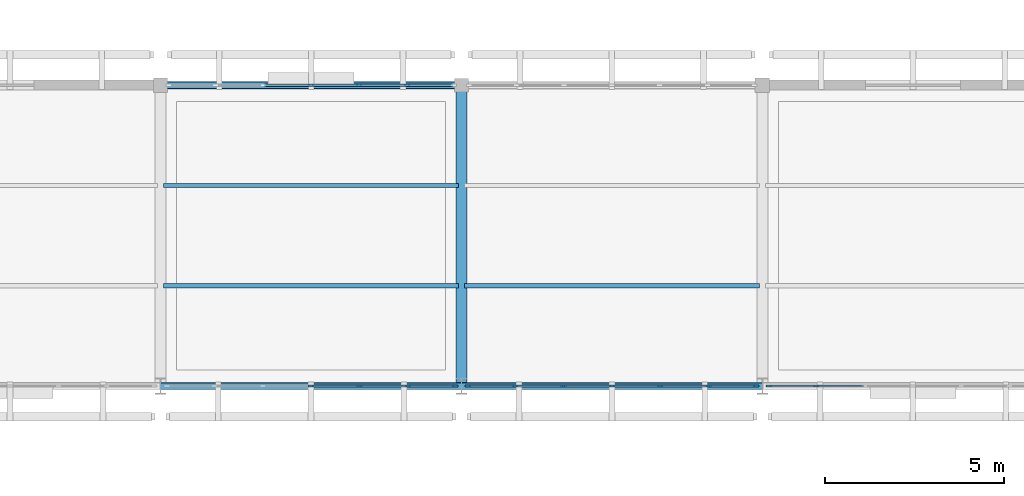
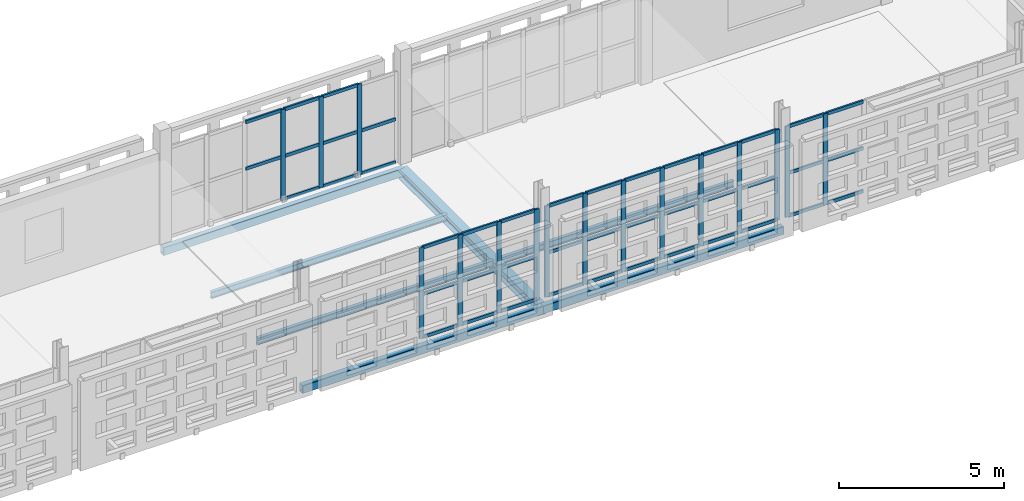
# One storey, part 44 of 166: 59 members, 7 beams, 4 elements without a shape of their own.
"""IFC4 building model written with IfcOpenShell, lengths in metres."""

from ifc_helpers import new_model, si_unit, direction, frame, origin, origin_2d, place, context, subcontext, project, spatial, rectangle, hollow_rectangle, i_section, extrude, material, layer, layer_set, material_profile, profile_set, type_object, element, aggregate, save


model = new_model("IFC4")

# Units and contexts
model_context = context("Model", 3, precision=1e-05, world=origin(), true_north=direction((0.0, 1.0)))
body_context = subcontext(model_context, "Body", "Model", "MODEL_VIEW")
ifc_project = project(units=[si_unit("LENGTHUNIT", "METRE"), si_unit("AREAUNIT", "SQUARE_METRE"), si_unit("VOLUMEUNIT", "CUBIC_METRE"), si_unit("PLANEANGLEUNIT", "RADIAN"), si_unit("MASSUNIT", "GRAM", prefix="KILO")], contexts=[model_context])

# Site, building, storey
site_placement = place(None, origin())
site = spatial("IfcSite", under=ifc_project, at=site_placement, CompositionType="ELEMENT")
building_placement = place(site_placement, origin())
building = spatial("IfcBuilding", under=site, at=building_placement, Name="Varnapada Polytechnic", CompositionType="ELEMENT")
storey_placement = place(building_placement, frame((0.0, 0.0, 9.60009765625)))
storey = spatial("IfcBuildingStorey", under=building, at=storey_placement, Name="L02", CompositionType="ELEMENT", Elevation=9.60009765625)

# Curtain wall, members
ifc_material_1 = material(Name="Double low-E laminated glass", Category="glass")
ifc_layer_1 = layer(ifc_material_1, 0.159912109375)
ifc_layer_set_1 = layer_set([ifc_layer_1], Name="Double low-E laminated glass")
curtain_wall_type_1 = type_object("IfcCurtainWallType", Name="Curtain Wall CW-01", PredefinedType="NOTDEFINED", material=ifc_layer_set_1)
curtain_wall_1_placement = place(storey_placement, origin())
curtain_wall_1 = element("IfcCurtainWall", 1, at=curtain_wall_1_placement, inside=storey, type_object=curtain_wall_type_1, Name="L02 unitised curtain wall CW-01 (166)", PredefinedType="NOTDEFINED")
ifc_material_2 = material(Name="Anodised aluminium", Category="aluminium")
ifc_material_profile_1 = material_profile(ifc_material_2, rectangle(XDim=0.06005859375, YDim=0.159912109375, at=origin_2d()), Name="ALU M60x160")
ifc_profile_set_1 = profile_set([ifc_material_profile_1], Name="Anodised aluminium")
member_type_1 = type_object("IfcMemberType", Name="Mullion M-01", PredefinedType="MULLION", material=ifc_profile_set_1)
member_1_placement = place(storey_placement, frame((83.820068359375, 84.0, 0.0), z_axis=(0.0, 0.0, 1.0), x_axis=(0.0, -1.0, 0.0)))
member_1 = element("IfcMember", 2, at=member_1_placement, type_object=member_type_1, Name="CW-01 mullion 1", PredefinedType="MULLION", context=body_context, shape_type="SweptSolid", body=[
    extrude(rectangle(XDim=0.06005859375, YDim=0.159912109375, at=origin_2d()), origin(), (0.0, 0.0, 1.0), 3.35986328125),
])
member_2_placement = place(storey_placement, frame((82.5, 84.0, 0.0), z_axis=(0.0, 0.0, 1.0), x_axis=(0.0, -1.0, 0.0)))
member_2 = element("IfcMember", 3, at=member_2_placement, type_object=member_type_1, Name="CW-01 mullion 2", PredefinedType="MULLION", context=body_context, shape_type="SweptSolid", body=[
    extrude(rectangle(XDim=0.06005859375, YDim=0.159912109375, at=origin_2d()), origin(), (0.0, 0.0, 1.0), 3.35986328125),
])
member_3_placement = place(storey_placement, frame((81.14990234375, 84.0, 0.0), z_axis=(0.0, 0.0, 1.0), x_axis=(0.0, -1.0, 0.0)))
member_3 = element("IfcMember", 4, at=member_3_placement, type_object=member_type_1, Name="CW-01 mullion 3", PredefinedType="MULLION", context=body_context, shape_type="SweptSolid", body=[
    extrude(rectangle(XDim=0.06005859375, YDim=0.159912109375, at=origin_2d()), origin(), (0.0, 0.0, 1.0), 3.35986328125),
])
member_4_placement = place(storey_placement, frame((79.800048828125, 84.0, 0.0), z_axis=(0.0, 0.0, 1.0), x_axis=(0.0, -1.0, 0.0)))
member_4 = element("IfcMember", 5, at=member_4_placement, type_object=member_type_1, Name="CW-01 mullion 4", PredefinedType="MULLION", context=body_context, shape_type="SweptSolid", body=[
    extrude(rectangle(XDim=0.06005859375, YDim=0.159912109375, at=origin_2d()), origin(), (0.0, 0.0, 1.0), 3.35986328125),
])

ifc_layer_2 = layer(ifc_material_1, 0.159912109375)
ifc_layer_set_2 = layer_set([ifc_layer_2], Name="Double low-E laminated glass")
curtain_wall_type_2 = type_object("IfcCurtainWallType", Name="Curtain Wall CW-02", PredefinedType="NOTDEFINED", material=ifc_layer_set_2)
curtain_wall_2_placement = place(storey_placement, origin())
curtain_wall_2 = element("IfcCurtainWall", 6, at=curtain_wall_2_placement, inside=storey, type_object=curtain_wall_type_2, Name="L02 unitised curtain wall CW-02 (167)", PredefinedType="NOTDEFINED")
member_5_placement = place(storey_placement, frame((79.804931640625, 92.39990234375, 0.0), z_axis=(0.0, 0.0, 1.0), x_axis=(0.0, 1.0, 0.0)))
member_5 = element("IfcMember", 7, at=member_5_placement, type_object=member_type_1, Name="CW-02 mullion 4", PredefinedType="MULLION", context=body_context, shape_type="SweptSolid", body=[
    extrude(rectangle(XDim=0.06005859375, YDim=0.159912109375, at=origin_2d()), origin(), (0.0, 0.0, 1.0), 3.35986328125),
])
member_6_placement = place(storey_placement, frame((81.139892578125, 92.39990234375, 0.0), z_axis=(0.0, 0.0, 1.0), x_axis=(0.0, 1.0, 0.0)))
member_6 = element("IfcMember", 8, at=member_6_placement, type_object=member_type_1, Name="CW-02 mullion 5", PredefinedType="MULLION", context=body_context, shape_type="SweptSolid", body=[
    extrude(rectangle(XDim=0.06005859375, YDim=0.159912109375, at=origin_2d()), origin(), (0.0, 0.0, 1.0), 3.35986328125),
])
member_7_placement = place(storey_placement, frame((82.47509765625, 92.39990234375, 0.0), z_axis=(0.0, 0.0, 1.0), x_axis=(0.0, 1.0, 0.0)))
member_7 = element("IfcMember", 9, at=member_7_placement, type_object=member_type_1, Name="CW-02 mullion 6", PredefinedType="MULLION", context=body_context, shape_type="SweptSolid", body=[
    extrude(rectangle(XDim=0.06005859375, YDim=0.159912109375, at=origin_2d()), origin(), (0.0, 0.0, 1.0), 3.35986328125),
])

curtain_wall_3_placement = place(storey_placement, origin())
curtain_wall_3 = element("IfcCurtainWall", 10, at=curtain_wall_3_placement, inside=storey, type_object=curtain_wall_type_1, Name="L02 unitised curtain wall CW-01 (168)", PredefinedType="NOTDEFINED")
member_8_placement = place(storey_placement, frame((92.219970703125, 84.0, 0.0), z_axis=(0.0, 0.0, 1.0), x_axis=(0.0, -1.0, 0.0)))
member_8 = element("IfcMember", 11, at=member_8_placement, type_object=member_type_1, Name="CW-01 mullion 1", PredefinedType="MULLION", context=body_context, shape_type="SweptSolid", body=[
    extrude(rectangle(XDim=0.06005859375, YDim=0.159912109375, at=origin_2d()), origin(), (0.0, 0.0, 1.0), 3.35986328125),
])
member_9_placement = place(storey_placement, frame((90.89990234375, 84.0, 0.0), z_axis=(0.0, 0.0, 1.0), x_axis=(0.0, -1.0, 0.0)))
member_9 = element("IfcMember", 12, at=member_9_placement, type_object=member_type_1, Name="CW-01 mullion 2", PredefinedType="MULLION", context=body_context, shape_type="SweptSolid", body=[
    extrude(rectangle(XDim=0.06005859375, YDim=0.159912109375, at=origin_2d()), origin(), (0.0, 0.0, 1.0), 3.35986328125),
])
member_10_placement = place(storey_placement, frame((89.550048828125, 84.0, 0.0), z_axis=(0.0, 0.0, 1.0), x_axis=(0.0, -1.0, 0.0)))
member_10 = element("IfcMember", 13, at=member_10_placement, type_object=member_type_1, Name="CW-01 mullion 3", PredefinedType="MULLION", context=body_context, shape_type="SweptSolid", body=[
    extrude(rectangle(XDim=0.06005859375, YDim=0.159912109375, at=origin_2d()), origin(), (0.0, 0.0, 1.0), 3.35986328125),
])
member_11_placement = place(storey_placement, frame((88.199951171875, 84.0, 0.0), z_axis=(0.0, 0.0, 1.0), x_axis=(0.0, -1.0, 0.0)))
member_11 = element("IfcMember", 14, at=member_11_placement, type_object=member_type_1, Name="CW-01 mullion 4", PredefinedType="MULLION", context=body_context, shape_type="SweptSolid", body=[
    extrude(rectangle(XDim=0.06005859375, YDim=0.159912109375, at=origin_2d()), origin(), (0.0, 0.0, 1.0), 3.35986328125),
])
member_12_placement = place(storey_placement, frame((86.85009765625, 84.0, 0.0), z_axis=(0.0, 0.0, 1.0), x_axis=(0.0, -1.0, 0.0)))
member_12 = element("IfcMember", 15, at=member_12_placement, type_object=member_type_1, Name="CW-01 mullion 5", PredefinedType="MULLION", context=body_context, shape_type="SweptSolid", body=[
    extrude(rectangle(XDim=0.06005859375, YDim=0.159912109375, at=origin_2d()), origin(), (0.0, 0.0, 1.0), 3.35986328125),
])
member_13_placement = place(storey_placement, frame((85.5, 84.0, 0.0), z_axis=(0.0, 0.0, 1.0), x_axis=(0.0, -1.0, 0.0)))
member_13 = element("IfcMember", 16, at=member_13_placement, type_object=member_type_1, Name="CW-01 mullion 6", PredefinedType="MULLION", context=body_context, shape_type="SweptSolid", body=[
    extrude(rectangle(XDim=0.06005859375, YDim=0.159912109375, at=origin_2d()), origin(), (0.0, 0.0, 1.0), 3.35986328125),
])
member_14_placement = place(storey_placement, frame((84.179931640625, 84.0, 0.0), z_axis=(0.0, 0.0, 1.0), x_axis=(0.0, -1.0, 0.0)))
member_14 = element("IfcMember", 17, at=member_14_placement, type_object=member_type_1, Name="CW-01 mullion 7", PredefinedType="MULLION", context=body_context, shape_type="SweptSolid", body=[
    extrude(rectangle(XDim=0.06005859375, YDim=0.159912109375, at=origin_2d()), origin(), (0.0, 0.0, 1.0), 3.35986328125),
])

curtain_wall_4_placement = place(storey_placement, origin())
curtain_wall_4 = element("IfcCurtainWall", 18, at=curtain_wall_4_placement, inside=storey, type_object=curtain_wall_type_1, Name="L02 unitised curtain wall CW-01 (170)", PredefinedType="NOTDEFINED")
member_15_placement = place(storey_placement, frame((93.89990234375, 84.0, 0.0), z_axis=(0.0, 0.0, 1.0), x_axis=(0.0, -1.0, 0.0)))
member_15 = element("IfcMember", 19, at=member_15_placement, type_object=member_type_1, Name="CW-01 mullion 6", PredefinedType="MULLION", context=body_context, shape_type="SweptSolid", body=[
    extrude(rectangle(XDim=0.06005859375, YDim=0.159912109375, at=origin_2d()), origin(), (0.0, 0.0, 1.0), 3.35986328125),
])
member_16_placement = place(storey_placement, frame((92.580078125, 84.0, 0.0), z_axis=(0.0, 0.0, 1.0), x_axis=(0.0, -1.0, 0.0)))
member_16 = element("IfcMember", 20, at=member_16_placement, type_object=member_type_1, Name="CW-01 mullion 7", PredefinedType="MULLION", context=body_context, shape_type="SweptSolid", body=[
    extrude(rectangle(XDim=0.06005859375, YDim=0.159912109375, at=origin_2d()), origin(), (0.0, 0.0, 1.0), 3.35986328125),
])

# Beam
ifc_material_3 = material(Name="Steel S355", Category="steel")
ifc_material_profile_2 = material_profile(ifc_material_3, i_section(OverallWidth=0.300048828125, OverallDepth=0.389892578125, WebThickness=0.010986328125, FlangeThickness=0.01904296875, FilletRadius=0.027099609375, at=origin_2d()), Name="HEA 400")
ifc_profile_set_2 = profile_set([ifc_material_profile_2], Name="Steel S355")
beam_type_1 = type_object("IfcBeamType", Name="Steel roof primary girder SG-01 (HEA 400)", PredefinedType="BEAM", material=ifc_profile_set_2)
beam_placement = place(storey_placement, frame((84.0, 84.0, -0.43505859375), z_axis=(0.0, 1.0, 0.0), x_axis=(-1.0, 0.0, 0.0)))
element("IfcBeam", 21, at=beam_placement, inside=storey, type_object=beam_type_1, Name="L02 beam Y 11-12 at X11", PredefinedType="BEAM", context=body_context, shape_type="SweptSolid", body=[
    extrude(i_section(OverallWidth=0.300048828125, OverallDepth=0.389892578125, WebThickness=0.010986328125, FlangeThickness=0.01904296875, FilletRadius=0.027099609375, at=origin_2d()), origin(), (0.0, 0.0, 1.0), 8.39990234375),
])

# Member
ifc_material_profile_3 = material_profile(ifc_material_2, rectangle(XDim=0.06005859375, YDim=0.1201171875, at=origin_2d()), Name="ALU T60x120")
ifc_profile_set_3 = profile_set([ifc_material_profile_3], Name="Anodised aluminium")
member_type_2 = type_object("IfcMemberType", Name="Transom T-01", PredefinedType="USERDEFINED", material=ifc_profile_set_3)
member_17_placement = place(storey_placement, frame((83.7900390625, 84.0, 0.02978515625), z_axis=(-1.0, 0.0, 0.0), x_axis=(0.0, -1.0, 0.0)))
member_17 = element("IfcMember", 22, at=member_17_placement, type_object=member_type_2, Name="CW-01 transom 1.1", ObjectType="TRANSOM", PredefinedType="USERDEFINED", context=body_context, shape_type="SweptSolid", body=[
    extrude(rectangle(XDim=0.06005859375, YDim=0.1201171875, at=origin_2d()), origin(), (0.0, 0.0, 1.0), 1.260009765625),
])

member_18_placement = place(storey_placement, frame((83.7900390625, 84.0, 1.61279296875), z_axis=(-1.0, 0.0, 0.0), x_axis=(0.0, -1.0, 0.0)))
member_18 = element("IfcMember", 23, at=member_18_placement, type_object=member_type_2, Name="CW-01 transom 1.2", ObjectType="TRANSOM", PredefinedType="USERDEFINED", context=body_context, shape_type="SweptSolid", body=[
    extrude(rectangle(XDim=0.06005859375, YDim=0.1201171875, at=origin_2d()), origin(), (0.0, 0.0, 1.0), 1.260009765625),
])

member_19_placement = place(storey_placement, frame((83.7900390625, 84.0, 3.329833984375), z_axis=(-1.0, 0.0, 0.0), x_axis=(0.0, -1.0, 0.0)))
member_19 = element("IfcMember", 24, at=member_19_placement, type_object=member_type_2, Name="CW-01 transom 1.3", ObjectType="TRANSOM", PredefinedType="USERDEFINED", context=body_context, shape_type="SweptSolid", body=[
    extrude(rectangle(XDim=0.06005859375, YDim=0.1201171875, at=origin_2d()), origin(), (0.0, 0.0, 1.0), 1.260009765625),
])

member_20_placement = place(storey_placement, frame((82.469970703125, 84.0, 0.02978515625), z_axis=(-1.0, 0.0, 0.0), x_axis=(0.0, -1.0, 0.0)))
member_20 = element("IfcMember", 25, at=member_20_placement, type_object=member_type_2, Name="CW-01 transom 2.1", ObjectType="TRANSOM", PredefinedType="USERDEFINED", context=body_context, shape_type="SweptSolid", body=[
    extrude(rectangle(XDim=0.06005859375, YDim=0.1201171875, at=origin_2d()), origin(), (0.0, 0.0, 1.0), 1.2900390625),
])

member_21_placement = place(storey_placement, frame((82.469970703125, 84.0, 1.61279296875), z_axis=(-1.0, 0.0, 0.0), x_axis=(0.0, -1.0, 0.0)))
member_21 = element("IfcMember", 26, at=member_21_placement, type_object=member_type_2, Name="CW-01 transom 2.2", ObjectType="TRANSOM", PredefinedType="USERDEFINED", context=body_context, shape_type="SweptSolid", body=[
    extrude(rectangle(XDim=0.06005859375, YDim=0.1201171875, at=origin_2d()), origin(), (0.0, 0.0, 1.0), 1.2900390625),
])

member_22_placement = place(storey_placement, frame((82.469970703125, 84.0, 3.329833984375), z_axis=(-1.0, 0.0, 0.0), x_axis=(0.0, -1.0, 0.0)))
member_22 = element("IfcMember", 27, at=member_22_placement, type_object=member_type_2, Name="CW-01 transom 2.3", ObjectType="TRANSOM", PredefinedType="USERDEFINED", context=body_context, shape_type="SweptSolid", body=[
    extrude(rectangle(XDim=0.06005859375, YDim=0.1201171875, at=origin_2d()), origin(), (0.0, 0.0, 1.0), 1.2900390625),
])

member_23_placement = place(storey_placement, frame((81.1201171875, 84.0, 0.02978515625), z_axis=(-1.0, 0.0, 0.0), x_axis=(0.0, -1.0, 0.0)))
member_23 = element("IfcMember", 28, at=member_23_placement, type_object=member_type_2, Name="CW-01 transom 3.1", ObjectType="TRANSOM", PredefinedType="USERDEFINED", context=body_context, shape_type="SweptSolid", body=[
    extrude(rectangle(XDim=0.06005859375, YDim=0.1201171875, at=origin_2d()), origin(), (0.0, 0.0, 1.0), 1.2900390625),
])

member_24_placement = place(storey_placement, frame((81.1201171875, 84.0, 1.61279296875), z_axis=(-1.0, 0.0, 0.0), x_axis=(0.0, -1.0, 0.0)))
member_24 = element("IfcMember", 29, at=member_24_placement, type_object=member_type_2, Name="CW-01 transom 3.2", ObjectType="TRANSOM", PredefinedType="USERDEFINED", context=body_context, shape_type="SweptSolid", body=[
    extrude(rectangle(XDim=0.06005859375, YDim=0.1201171875, at=origin_2d()), origin(), (0.0, 0.0, 1.0), 1.2900390625),
])

member_25_placement = place(storey_placement, frame((81.1201171875, 84.0, 3.329833984375), z_axis=(-1.0, 0.0, 0.0), x_axis=(0.0, -1.0, 0.0)))
member_25 = element("IfcMember", 30, at=member_25_placement, type_object=member_type_2, Name="CW-01 transom 3.3", ObjectType="TRANSOM", PredefinedType="USERDEFINED", context=body_context, shape_type="SweptSolid", body=[
    extrude(rectangle(XDim=0.06005859375, YDim=0.1201171875, at=origin_2d()), origin(), (0.0, 0.0, 1.0), 1.2900390625),
])

aggregate(curtain_wall_1, [member_1, member_2, member_3, member_4, member_17, member_18, member_19, member_20, member_21, member_22, member_23, member_24, member_25])

member_26_placement = place(storey_placement, frame((78.5, 92.39990234375, 1.61279296875), z_axis=(1.0, 0.0, 0.0), x_axis=(0.0, 1.0, 0.0)))
member_26 = element("IfcMember", 31, at=member_26_placement, type_object=member_type_2, Name="CW-02 transom 3.2", ObjectType="TRANSOM", PredefinedType="USERDEFINED", context=body_context, shape_type="SweptSolid", body=[
    extrude(rectangle(XDim=0.06005859375, YDim=0.1201171875, at=origin_2d()), origin(), (0.0, 0.0, 1.0), 1.27490234375),
])

member_27_placement = place(storey_placement, frame((78.5, 92.39990234375, 3.329833984375), z_axis=(1.0, 0.0, 0.0), x_axis=(0.0, 1.0, 0.0)))
member_27 = element("IfcMember", 32, at=member_27_placement, type_object=member_type_2, Name="CW-02 transom 3.3", ObjectType="TRANSOM", PredefinedType="USERDEFINED", context=body_context, shape_type="SweptSolid", body=[
    extrude(rectangle(XDim=0.06005859375, YDim=0.1201171875, at=origin_2d()), origin(), (0.0, 0.0, 1.0), 1.27490234375),
])

member_28_placement = place(storey_placement, frame((79.8349609375, 92.39990234375, 0.02978515625), z_axis=(1.0, 0.0, 0.0), x_axis=(0.0, 1.0, 0.0)))
member_28 = element("IfcMember", 33, at=member_28_placement, type_object=member_type_2, Name="CW-02 transom 4.1", ObjectType="TRANSOM", PredefinedType="USERDEFINED", context=body_context, shape_type="SweptSolid", body=[
    extrude(rectangle(XDim=0.06005859375, YDim=0.1201171875, at=origin_2d()), origin(), (0.0, 0.0, 1.0), 1.275146484375),
])

member_29_placement = place(storey_placement, frame((79.8349609375, 92.39990234375, 1.61279296875), z_axis=(1.0, 0.0, 0.0), x_axis=(0.0, 1.0, 0.0)))
member_29 = element("IfcMember", 34, at=member_29_placement, type_object=member_type_2, Name="CW-02 transom 4.2", ObjectType="TRANSOM", PredefinedType="USERDEFINED", context=body_context, shape_type="SweptSolid", body=[
    extrude(rectangle(XDim=0.06005859375, YDim=0.1201171875, at=origin_2d()), origin(), (0.0, 0.0, 1.0), 1.275146484375),
])

member_30_placement = place(storey_placement, frame((79.8349609375, 92.39990234375, 3.329833984375), z_axis=(1.0, 0.0, 0.0), x_axis=(0.0, 1.0, 0.0)))
member_30 = element("IfcMember", 35, at=member_30_placement, type_object=member_type_2, Name="CW-02 transom 4.3", ObjectType="TRANSOM", PredefinedType="USERDEFINED", context=body_context, shape_type="SweptSolid", body=[
    extrude(rectangle(XDim=0.06005859375, YDim=0.1201171875, at=origin_2d()), origin(), (0.0, 0.0, 1.0), 1.275146484375),
])

member_31_placement = place(storey_placement, frame((81.169921875, 92.39990234375, 0.02978515625), z_axis=(1.0, 0.0, 0.0), x_axis=(0.0, 1.0, 0.0)))
member_31 = element("IfcMember", 36, at=member_31_placement, type_object=member_type_2, Name="CW-02 transom 5.1", ObjectType="TRANSOM", PredefinedType="USERDEFINED", context=body_context, shape_type="SweptSolid", body=[
    extrude(rectangle(XDim=0.06005859375, YDim=0.1201171875, at=origin_2d()), origin(), (0.0, 0.0, 1.0), 1.275146484375),
])

member_32_placement = place(storey_placement, frame((81.169921875, 92.39990234375, 1.61279296875), z_axis=(1.0, 0.0, 0.0), x_axis=(0.0, 1.0, 0.0)))
member_32 = element("IfcMember", 37, at=member_32_placement, type_object=member_type_2, Name="CW-02 transom 5.2", ObjectType="TRANSOM", PredefinedType="USERDEFINED", context=body_context, shape_type="SweptSolid", body=[
    extrude(rectangle(XDim=0.06005859375, YDim=0.1201171875, at=origin_2d()), origin(), (0.0, 0.0, 1.0), 1.275146484375),
])

member_33_placement = place(storey_placement, frame((81.169921875, 92.39990234375, 3.329833984375), z_axis=(1.0, 0.0, 0.0), x_axis=(0.0, 1.0, 0.0)))
member_33 = element("IfcMember", 38, at=member_33_placement, type_object=member_type_2, Name="CW-02 transom 5.3", ObjectType="TRANSOM", PredefinedType="USERDEFINED", context=body_context, shape_type="SweptSolid", body=[
    extrude(rectangle(XDim=0.06005859375, YDim=0.1201171875, at=origin_2d()), origin(), (0.0, 0.0, 1.0), 1.275146484375),
])

member_34_placement = place(storey_placement, frame((82.5048828125, 92.39990234375, 0.02978515625), z_axis=(1.0, 0.0, 0.0), x_axis=(0.0, 1.0, 0.0)))
member_34 = element("IfcMember", 39, at=member_34_placement, type_object=member_type_2, Name="CW-02 transom 6.1", ObjectType="TRANSOM", PredefinedType="USERDEFINED", context=body_context, shape_type="SweptSolid", body=[
    extrude(rectangle(XDim=0.06005859375, YDim=0.1201171875, at=origin_2d()), origin(), (0.0, 0.0, 1.0), 1.2451171875),
])

member_35_placement = place(storey_placement, frame((82.5048828125, 92.39990234375, 1.61279296875), z_axis=(1.0, 0.0, 0.0), x_axis=(0.0, 1.0, 0.0)))
member_35 = element("IfcMember", 40, at=member_35_placement, type_object=member_type_2, Name="CW-02 transom 6.2", ObjectType="TRANSOM", PredefinedType="USERDEFINED", context=body_context, shape_type="SweptSolid", body=[
    extrude(rectangle(XDim=0.06005859375, YDim=0.1201171875, at=origin_2d()), origin(), (0.0, 0.0, 1.0), 1.2451171875),
])

aggregate(curtain_wall_2, [member_5, member_6, member_7, member_26, member_27, member_28, member_29, member_30, member_31, member_32, member_33, member_34, member_35])

member_36_placement = place(storey_placement, frame((92.18994140625, 84.0, 0.02978515625), z_axis=(-1.0, 0.0, 0.0), x_axis=(0.0, -1.0, 0.0)))
member_36 = element("IfcMember", 41, at=member_36_placement, type_object=member_type_2, Name="CW-01 transom 1.1", ObjectType="TRANSOM", PredefinedType="USERDEFINED", context=body_context, shape_type="SweptSolid", body=[
    extrude(rectangle(XDim=0.06005859375, YDim=0.1201171875, at=origin_2d()), origin(), (0.0, 0.0, 1.0), 1.260009765625),
])

member_37_placement = place(storey_placement, frame((92.18994140625, 84.0, 1.61279296875), z_axis=(-1.0, 0.0, 0.0), x_axis=(0.0, -1.0, 0.0)))
member_37 = element("IfcMember", 42, at=member_37_placement, type_object=member_type_2, Name="CW-01 transom 1.2", ObjectType="TRANSOM", PredefinedType="USERDEFINED", context=body_context, shape_type="SweptSolid", body=[
    extrude(rectangle(XDim=0.06005859375, YDim=0.1201171875, at=origin_2d()), origin(), (0.0, 0.0, 1.0), 1.260009765625),
])

member_38_placement = place(storey_placement, frame((92.18994140625, 84.0, 3.329833984375), z_axis=(-1.0, 0.0, 0.0), x_axis=(0.0, -1.0, 0.0)))
member_38 = element("IfcMember", 43, at=member_38_placement, type_object=member_type_2, Name="CW-01 transom 1.3", ObjectType="TRANSOM", PredefinedType="USERDEFINED", context=body_context, shape_type="SweptSolid", body=[
    extrude(rectangle(XDim=0.06005859375, YDim=0.1201171875, at=origin_2d()), origin(), (0.0, 0.0, 1.0), 1.260009765625),
])

member_39_placement = place(storey_placement, frame((90.8701171875, 84.0, 0.02978515625), z_axis=(-1.0, 0.0, 0.0), x_axis=(0.0, -1.0, 0.0)))
member_39 = element("IfcMember", 44, at=member_39_placement, type_object=member_type_2, Name="CW-01 transom 2.1", ObjectType="TRANSOM", PredefinedType="USERDEFINED", context=body_context, shape_type="SweptSolid", body=[
    extrude(rectangle(XDim=0.06005859375, YDim=0.1201171875, at=origin_2d()), origin(), (0.0, 0.0, 1.0), 1.2900390625),
])

member_40_placement = place(storey_placement, frame((90.8701171875, 84.0, 1.61279296875), z_axis=(-1.0, 0.0, 0.0), x_axis=(0.0, -1.0, 0.0)))
member_40 = element("IfcMember", 45, at=member_40_placement, type_object=member_type_2, Name="CW-01 transom 2.2", ObjectType="TRANSOM", PredefinedType="USERDEFINED", context=body_context, shape_type="SweptSolid", body=[
    extrude(rectangle(XDim=0.06005859375, YDim=0.1201171875, at=origin_2d()), origin(), (0.0, 0.0, 1.0), 1.2900390625),
])

member_41_placement = place(storey_placement, frame((90.8701171875, 84.0, 3.329833984375), z_axis=(-1.0, 0.0, 0.0), x_axis=(0.0, -1.0, 0.0)))
member_41 = element("IfcMember", 46, at=member_41_placement, type_object=member_type_2, Name="CW-01 transom 2.3", ObjectType="TRANSOM", PredefinedType="USERDEFINED", context=body_context, shape_type="SweptSolid", body=[
    extrude(rectangle(XDim=0.06005859375, YDim=0.1201171875, at=origin_2d()), origin(), (0.0, 0.0, 1.0), 1.2900390625),
])

member_42_placement = place(storey_placement, frame((89.52001953125, 84.0, 0.02978515625), z_axis=(-1.0, 0.0, 0.0), x_axis=(0.0, -1.0, 0.0)))
member_42 = element("IfcMember", 47, at=member_42_placement, type_object=member_type_2, Name="CW-01 transom 3.1", ObjectType="TRANSOM", PredefinedType="USERDEFINED", context=body_context, shape_type="SweptSolid", body=[
    extrude(rectangle(XDim=0.06005859375, YDim=0.1201171875, at=origin_2d()), origin(), (0.0, 0.0, 1.0), 1.2900390625),
])

member_43_placement = place(storey_placement, frame((89.52001953125, 84.0, 1.61279296875), z_axis=(-1.0, 0.0, 0.0), x_axis=(0.0, -1.0, 0.0)))
member_43 = element("IfcMember", 48, at=member_43_placement, type_object=member_type_2, Name="CW-01 transom 3.2", ObjectType="TRANSOM", PredefinedType="USERDEFINED", context=body_context, shape_type="SweptSolid", body=[
    extrude(rectangle(XDim=0.06005859375, YDim=0.1201171875, at=origin_2d()), origin(), (0.0, 0.0, 1.0), 1.2900390625),
])

member_44_placement = place(storey_placement, frame((89.52001953125, 84.0, 3.329833984375), z_axis=(-1.0, 0.0, 0.0), x_axis=(0.0, -1.0, 0.0)))
member_44 = element("IfcMember", 49, at=member_44_placement, type_object=member_type_2, Name="CW-01 transom 3.3", ObjectType="TRANSOM", PredefinedType="USERDEFINED", context=body_context, shape_type="SweptSolid", body=[
    extrude(rectangle(XDim=0.06005859375, YDim=0.1201171875, at=origin_2d()), origin(), (0.0, 0.0, 1.0), 1.2900390625),
])

member_45_placement = place(storey_placement, frame((88.169921875, 84.0, 0.02978515625), z_axis=(-1.0, 0.0, 0.0), x_axis=(0.0, -1.0, 0.0)))
member_45 = element("IfcMember", 50, at=member_45_placement, type_object=member_type_2, Name="CW-01 transom 4.1", ObjectType="TRANSOM", PredefinedType="USERDEFINED", context=body_context, shape_type="SweptSolid", body=[
    extrude(rectangle(XDim=0.06005859375, YDim=0.1201171875, at=origin_2d()), origin(), (0.0, 0.0, 1.0), 1.2900390625),
])

member_46_placement = place(storey_placement, frame((88.169921875, 84.0, 1.61279296875), z_axis=(-1.0, 0.0, 0.0), x_axis=(0.0, -1.0, 0.0)))
member_46 = element("IfcMember", 51, at=member_46_placement, type_object=member_type_2, Name="CW-01 transom 4.2", ObjectType="TRANSOM", PredefinedType="USERDEFINED", context=body_context, shape_type="SweptSolid", body=[
    extrude(rectangle(XDim=0.06005859375, YDim=0.1201171875, at=origin_2d()), origin(), (0.0, 0.0, 1.0), 1.2900390625),
])

member_47_placement = place(storey_placement, frame((88.169921875, 84.0, 3.329833984375), z_axis=(-1.0, 0.0, 0.0), x_axis=(0.0, -1.0, 0.0)))
member_47 = element("IfcMember", 52, at=member_47_placement, type_object=member_type_2, Name="CW-01 transom 4.3", ObjectType="TRANSOM", PredefinedType="USERDEFINED", context=body_context, shape_type="SweptSolid", body=[
    extrude(rectangle(XDim=0.06005859375, YDim=0.1201171875, at=origin_2d()), origin(), (0.0, 0.0, 1.0), 1.2900390625),
])

member_48_placement = place(storey_placement, frame((86.820068359375, 84.0, 0.02978515625), z_axis=(-1.0, 0.0, 0.0), x_axis=(0.0, -1.0, 0.0)))
member_48 = element("IfcMember", 53, at=member_48_placement, type_object=member_type_2, Name="CW-01 transom 5.1", ObjectType="TRANSOM", PredefinedType="USERDEFINED", context=body_context, shape_type="SweptSolid", body=[
    extrude(rectangle(XDim=0.06005859375, YDim=0.1201171875, at=origin_2d()), origin(), (0.0, 0.0, 1.0), 1.2900390625),
])

member_49_placement = place(storey_placement, frame((86.820068359375, 84.0, 1.61279296875), z_axis=(-1.0, 0.0, 0.0), x_axis=(0.0, -1.0, 0.0)))
member_49 = element("IfcMember", 54, at=member_49_placement, type_object=member_type_2, Name="CW-01 transom 5.2", ObjectType="TRANSOM", PredefinedType="USERDEFINED", context=body_context, shape_type="SweptSolid", body=[
    extrude(rectangle(XDim=0.06005859375, YDim=0.1201171875, at=origin_2d()), origin(), (0.0, 0.0, 1.0), 1.2900390625),
])

member_50_placement = place(storey_placement, frame((86.820068359375, 84.0, 3.329833984375), z_axis=(-1.0, 0.0, 0.0), x_axis=(0.0, -1.0, 0.0)))
member_50 = element("IfcMember", 55, at=member_50_placement, type_object=member_type_2, Name="CW-01 transom 5.3", ObjectType="TRANSOM", PredefinedType="USERDEFINED", context=body_context, shape_type="SweptSolid", body=[
    extrude(rectangle(XDim=0.06005859375, YDim=0.1201171875, at=origin_2d()), origin(), (0.0, 0.0, 1.0), 1.2900390625),
])

member_51_placement = place(storey_placement, frame((85.469970703125, 84.0, 0.02978515625), z_axis=(-1.0, 0.0, 0.0), x_axis=(0.0, -1.0, 0.0)))
member_51 = element("IfcMember", 56, at=member_51_placement, type_object=member_type_2, Name="CW-01 transom 6.1", ObjectType="TRANSOM", PredefinedType="USERDEFINED", context=body_context, shape_type="SweptSolid", body=[
    extrude(rectangle(XDim=0.06005859375, YDim=0.1201171875, at=origin_2d()), origin(), (0.0, 0.0, 1.0), 1.260009765625),
])

member_52_placement = place(storey_placement, frame((85.469970703125, 84.0, 1.61279296875), z_axis=(-1.0, 0.0, 0.0), x_axis=(0.0, -1.0, 0.0)))
member_52 = element("IfcMember", 57, at=member_52_placement, type_object=member_type_2, Name="CW-01 transom 6.2", ObjectType="TRANSOM", PredefinedType="USERDEFINED", context=body_context, shape_type="SweptSolid", body=[
    extrude(rectangle(XDim=0.06005859375, YDim=0.1201171875, at=origin_2d()), origin(), (0.0, 0.0, 1.0), 1.260009765625),
])

member_53_placement = place(storey_placement, frame((85.469970703125, 84.0, 3.329833984375), z_axis=(-1.0, 0.0, 0.0), x_axis=(0.0, -1.0, 0.0)))
member_53 = element("IfcMember", 58, at=member_53_placement, type_object=member_type_2, Name="CW-01 transom 6.3", ObjectType="TRANSOM", PredefinedType="USERDEFINED", context=body_context, shape_type="SweptSolid", body=[
    extrude(rectangle(XDim=0.06005859375, YDim=0.1201171875, at=origin_2d()), origin(), (0.0, 0.0, 1.0), 1.260009765625),
])

aggregate(curtain_wall_3, [member_8, member_9, member_10, member_11, member_12, member_13, member_14, member_36, member_37, member_38, member_39, member_40, member_41, member_42, member_43, member_44, member_45, member_46, member_47, member_48, member_49, member_50, member_51, member_52, member_53])

member_54_placement = place(storey_placement, frame((95.219970703125, 84.0, 0.02978515625), z_axis=(-1.0, 0.0, 0.0), x_axis=(0.0, -1.0, 0.0)))
member_54 = element("IfcMember", 59, at=member_54_placement, type_object=member_type_2, Name="CW-01 transom 5.1", ObjectType="TRANSOM", PredefinedType="USERDEFINED", context=body_context, shape_type="SweptSolid", body=[
    extrude(rectangle(XDim=0.06005859375, YDim=0.1201171875, at=origin_2d()), origin(), (0.0, 0.0, 1.0), 1.2900390625),
])

member_55_placement = place(storey_placement, frame((95.219970703125, 84.0, 1.61279296875), z_axis=(-1.0, 0.0, 0.0), x_axis=(0.0, -1.0, 0.0)))
member_55 = element("IfcMember", 60, at=member_55_placement, type_object=member_type_2, Name="CW-01 transom 5.2", ObjectType="TRANSOM", PredefinedType="USERDEFINED", context=body_context, shape_type="SweptSolid", body=[
    extrude(rectangle(XDim=0.06005859375, YDim=0.1201171875, at=origin_2d()), origin(), (0.0, 0.0, 1.0), 1.2900390625),
])

member_56_placement = place(storey_placement, frame((95.219970703125, 84.0, 3.329833984375), z_axis=(-1.0, 0.0, 0.0), x_axis=(0.0, -1.0, 0.0)))
member_56 = element("IfcMember", 61, at=member_56_placement, type_object=member_type_2, Name="CW-01 transom 5.3", ObjectType="TRANSOM", PredefinedType="USERDEFINED", context=body_context, shape_type="SweptSolid", body=[
    extrude(rectangle(XDim=0.06005859375, YDim=0.1201171875, at=origin_2d()), origin(), (0.0, 0.0, 1.0), 1.2900390625),
])

member_57_placement = place(storey_placement, frame((93.8701171875, 84.0, 0.02978515625), z_axis=(-1.0, 0.0, 0.0), x_axis=(0.0, -1.0, 0.0)))
member_57 = element("IfcMember", 62, at=member_57_placement, type_object=member_type_2, Name="CW-01 transom 6.1", ObjectType="TRANSOM", PredefinedType="USERDEFINED", context=body_context, shape_type="SweptSolid", body=[
    extrude(rectangle(XDim=0.06005859375, YDim=0.1201171875, at=origin_2d()), origin(), (0.0, 0.0, 1.0), 1.260009765625),
])

member_58_placement = place(storey_placement, frame((93.8701171875, 84.0, 1.61279296875), z_axis=(-1.0, 0.0, 0.0), x_axis=(0.0, -1.0, 0.0)))
member_58 = element("IfcMember", 63, at=member_58_placement, type_object=member_type_2, Name="CW-01 transom 6.2", ObjectType="TRANSOM", PredefinedType="USERDEFINED", context=body_context, shape_type="SweptSolid", body=[
    extrude(rectangle(XDim=0.06005859375, YDim=0.1201171875, at=origin_2d()), origin(), (0.0, 0.0, 1.0), 1.260009765625),
])

member_59_placement = place(storey_placement, frame((93.8701171875, 84.0, 3.329833984375), z_axis=(-1.0, 0.0, 0.0), x_axis=(0.0, -1.0, 0.0)))
member_59 = element("IfcMember", 64, at=member_59_placement, type_object=member_type_2, Name="CW-01 transom 6.3", ObjectType="TRANSOM", PredefinedType="USERDEFINED", context=body_context, shape_type="SweptSolid", body=[
    extrude(rectangle(XDim=0.06005859375, YDim=0.1201171875, at=origin_2d()), origin(), (0.0, 0.0, 1.0), 1.260009765625),
])

aggregate(curtain_wall_4, [member_15, member_16, member_54, member_55, member_56, member_57, member_58, member_59])

# Beams
ifc_material_profile_4 = material_profile(ifc_material_3, i_section(OverallWidth=0.1201171875, OverallDepth=0.239990234375, WebThickness=0.006103515625, FlangeThickness=0.009765625, FilletRadius=0.014892578125, at=origin_2d()), Name="IPE 240")
ifc_profile_set_4 = profile_set([ifc_material_profile_4], Name="Steel S355")
beam_type_2 = type_object("IfcBeamType", Name="Workshop gallery composite joist SJ-01 (IPE 240)", PredefinedType="JOIST", material=ifc_profile_set_4)
for number, where, z_axis, x_axis, name in (
    (65, (75.679931640625, 86.800048828125, -0.360107421875), (1.0, 0.0, 0.0), (0.0, 1.0, 0.0), "L02 floor joist 10/11.1"),
    (66, (75.679931640625, 89.60009765625, -0.360107421875), (1.0, 0.0, 0.0), (0.0, 1.0, 0.0), "L02 floor joist 10/11.2"),
    (67, (84.080078125, 86.800048828125, -0.360107421875), (1.0, 0.0, 0.0), (0.0, 1.0, 0.0), "L02 floor joist 11/11.1"),
):
    element("IfcBeam", number, at=place(storey_placement, frame(where, z_axis=z_axis, x_axis=x_axis)), inside=storey, type_object=beam_type_2, Name=name, PredefinedType="JOIST", context=body_context, shape_type="SweptSolid", body=[
        extrude(i_section(OverallWidth=0.1201171875, OverallDepth=0.239990234375, WebThickness=0.006103515625, FlangeThickness=0.009765625, FilletRadius=0.014892578125, at=origin_2d()), origin(), (0.0, 0.0, 1.0), 8.239990234375),
    ])
ifc_material_profile_5 = material_profile(ifc_material_3, hollow_rectangle(XDim=0.199951171875, YDim=0.300048828125, WallThickness=0.010009765625, InnerFilletRadius=0.010009765625, OuterFilletRadius=0.02001953125, at=origin_2d()), Name="RHS 300x200x10")
ifc_profile_set_5 = profile_set([ifc_material_profile_5], Name="Steel S355")
beam_type_3 = type_object("IfcBeamType", Name="Workshop steel spandrel tie SP-03 (RHS 300x200x10)", PredefinedType="SPANDREL", material=ifc_profile_set_5)
for number, where, z_axis, x_axis, name in (
    (68, (75.60009765625, 84.0, -0.39013671875), (1.0, 0.0, 0.0), (0.0, 1.0, 0.0), "L02 beam X 10-11 at Y11"),
    (69, (75.60009765625, 92.39990234375, -0.39013671875), (1.0, 0.0, 0.0), (0.0, 1.0, 0.0), "L02 beam X 10-11 at Y12"),
    (70, (84.0, 84.0, -0.39013671875), (1.0, 0.0, 0.0), (0.0, 1.0, 0.0), "L02 beam X 11-12 at Y11"),
):
    element("IfcBeam", number, at=place(storey_placement, frame(where, z_axis=z_axis, x_axis=x_axis)), inside=storey, type_object=beam_type_3, Name=name, PredefinedType="SPANDREL", context=body_context, shape_type="SweptSolid", body=[
        extrude(hollow_rectangle(XDim=0.199951171875, YDim=0.300048828125, WallThickness=0.010009765625, InnerFilletRadius=0.010009765625, OuterFilletRadius=0.02001953125, at=origin_2d()), origin(), (0.0, 0.0, 1.0), 8.39990234375),
    ])

save(model, "model.ifc")
